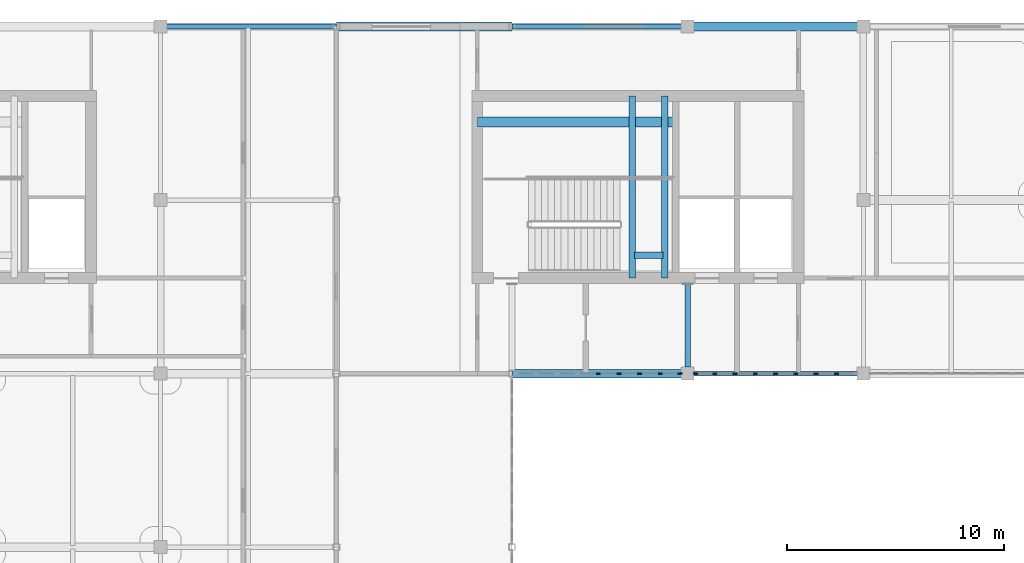
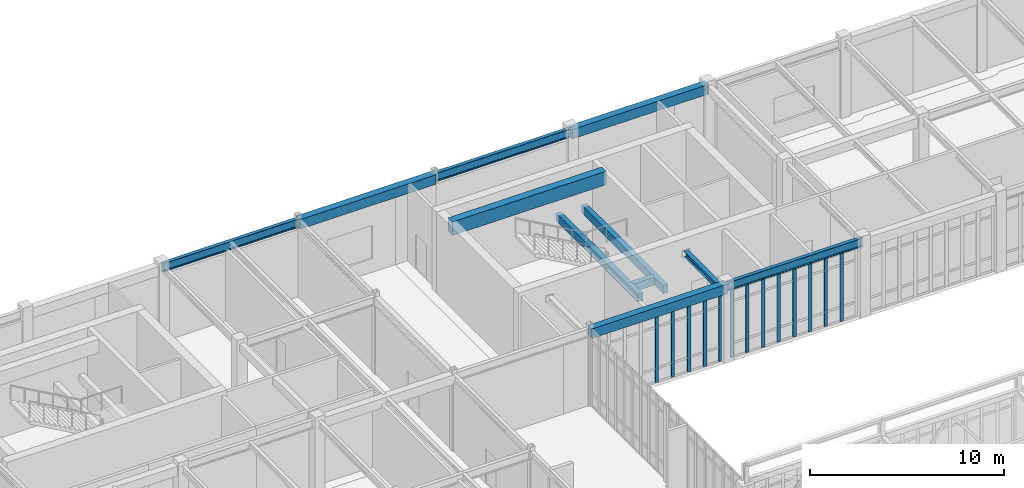
# One storey, part 30 of 107: 14 members, 10 beams, 2 elements without a shape of their own.
"""IFC4 building model written with IfcOpenShell, lengths in metres."""

from ifc_helpers import new_model, si_unit, direction, frame, origin, origin_2d, place, context, subcontext, project, spatial, rectangle, i_section, extrude, material, material_profile, profile_set, type_object, element, aggregate, save


model = new_model("IFC4")

# Units and contexts
model_context = context("Model", 3, precision=1e-05, world=origin(), true_north=direction((0.0, 1.0)))
body_context = subcontext(model_context, "Body", "Model", "MODEL_VIEW")
ifc_project = project(units=[si_unit("LENGTHUNIT", "METRE"), si_unit("AREAUNIT", "SQUARE_METRE"), si_unit("VOLUMEUNIT", "CUBIC_METRE"), si_unit("PLANEANGLEUNIT", "RADIAN"), si_unit("MASSUNIT", "GRAM", prefix="KILO")], contexts=[model_context])

# Site, building, storey
site_placement = place(None, origin())
site = spatial("IfcSite", under=ifc_project, at=site_placement, CompositionType="ELEMENT")
building_placement = place(site_placement, origin())
building = spatial("IfcBuilding", under=site, at=building_placement, Name="Tarnveldt Square Police Headquarters", CompositionType="ELEMENT")
storey_placement = place(building_placement, frame((0.0, 0.0, 14.699951171875)))
storey = spatial("IfcBuildingStorey", under=building, at=storey_placement, Name="L03", CompositionType="ELEMENT", Elevation=14.699951171875)

# Beams
ifc_material_1 = material(Name="Concrete 50 MPa", Category="concrete")
ifc_material_profile_1 = material_profile(ifc_material_1, rectangle(XDim=0.449951171875, YDim=0.85009765625, at=origin_2d()), Name="RC-CB450x850")
ifc_profile_set_1 = profile_set([ifc_material_profile_1], Name="Concrete 50 MPa")
beam_type_1 = type_object("IfcBeamType", Name="BM-CB450x850", PredefinedType="BEAM", material=ifc_profile_set_1)
beam_1_placement = place(storey_placement, frame((47.0, 107.60009765625, 4.675048828125), z_axis=(1.0, 0.0, 0.0), x_axis=(0.0, 1.0, 0.0)))
element("IfcBeam", 1, at=beam_1_placement, inside=storey, type_object=beam_type_1, Name="Core K3 North-Central Forensic and Firefighting Core L03 Ductile Coupling Beam", PredefinedType="BEAM", context=body_context, shape_type="SweptSolid", body=[
    extrude(rectangle(XDim=0.449951171875, YDim=0.85009765625, at=origin_2d()), origin(), (0.0, 0.0, 1.0), 9.14990234375),
])
ifc_material_2 = material(Name="Concrete 40 MPa", Category="concrete")
ifc_material_profile_2 = material_profile(ifc_material_2, rectangle(XDim=0.300048828125, YDim=0.5, at=origin_2d()), Name="RC-B300x500")
ifc_profile_set_2 = profile_set([ifc_material_profile_2], Name="Concrete 40 MPa")
beam_type_2 = type_object("IfcBeamType", Name="BM-RC300x500", PredefinedType="BEAM", material=ifc_profile_set_2)
beam_2_placement = place(storey_placement, frame((54.14990234375, 100.39990234375, 2.10009765625), z_axis=(0.0, 1.0, 0.0), x_axis=(-1.0, 0.0, 0.0)))
element("IfcBeam", 2, at=beam_2_placement, inside=storey, type_object=beam_type_2, Name="ST3 L03 Half-Landing Support Beam 1", PredefinedType="BEAM", context=body_context, shape_type="SweptSolid", body=[
    extrude(rectangle(XDim=0.300048828125, YDim=0.5, at=origin_2d()), origin(), (0.0, 0.0, 1.0), 8.400146484375),
])
beam_3_placement = place(storey_placement, frame((54.25, 101.449951171875, 2.10009765625), z_axis=(1.0, 0.0, 0.0), x_axis=(0.0, 1.0, 0.0)))
element("IfcBeam", 3, at=beam_3_placement, inside=storey, type_object=beam_type_2, Name="ST3 L03 Half-Landing Support Beam 2", PredefinedType="BEAM", context=body_context, shape_type="SweptSolid", body=[
    extrude(rectangle(XDim=0.300048828125, YDim=0.5, at=origin_2d()), origin(), (0.0, 0.0, 1.0), 1.300048828125),
])
beam_4_placement = place(storey_placement, frame((55.64990234375, 100.39990234375, 2.10009765625), z_axis=(0.0, 1.0, 0.0), x_axis=(-1.0, 0.0, 0.0)))
element("IfcBeam", 4, at=beam_4_placement, inside=storey, type_object=beam_type_2, Name="ST3 L03 Half-Landing Transverse Support Beam", PredefinedType="BEAM", context=body_context, shape_type="SweptSolid", body=[
    extrude(rectangle(XDim=0.300048828125, YDim=0.5, at=origin_2d()), origin(), (0.0, 0.0, 1.0), 8.400146484375),
])
ifc_material_profile_3 = material_profile(ifc_material_2, rectangle(XDim=0.39990234375, YDim=0.60009765625, at=origin_2d()), Name="RC-B400x600")
ifc_profile_set_3 = profile_set([ifc_material_profile_3], Name="Concrete 40 MPa")
beam_type_3 = type_object("IfcBeamType", Name="BM-RC400x600", PredefinedType="BEAM", material=ifc_profile_set_3)
beam_5_placement = place(storey_placement, frame((48.60009765625, 96.0, 4.5400390625), z_axis=(1.0, 0.0, 0.0), x_axis=(0.0, 1.0, 0.0)))
element("IfcBeam", 5, at=beam_5_placement, inside=storey, type_object=beam_type_3, Name="L04 Grid Girder X-0836", PredefinedType="BEAM", context=body_context, shape_type="SweptSolid", body=[
    extrude(rectangle(XDim=0.39990234375, YDim=0.60009765625, at=origin_2d()), origin(), (0.0, 0.0, 1.0), 8.099853515625),
])
for number, where, z_axis, x_axis, name in (
    (6, (40.5, 112.0, 4.5400390625), (1.0, 0.0, 0.0), (0.0, 1.0, 0.0), "L04 Grid Girder X-0854"),
    (7, (56.699951171875, 112.0, 4.5400390625), (1.0, 0.0, 0.0), (0.0, 1.0, 0.0), "L04 Grid Girder X-0856"),
):
    element("IfcBeam", number, at=place(storey_placement, frame(where, z_axis=z_axis, x_axis=x_axis)), inside=storey, type_object=beam_type_3, Name=name, PredefinedType="BEAM", context=body_context, shape_type="SweptSolid", body=[
        extrude(rectangle(XDim=0.39990234375, YDim=0.60009765625, at=origin_2d()), origin(), (0.0, 0.0, 1.0), 8.10009765625),
    ])
ifc_material_3 = material(Name="Steel 350W", Category="steel")
ifc_material_profile_4 = material_profile(ifc_material_3, i_section(OverallWidth=0.208984375, OverallDepth=0.532958984375, WebThickness=0.01025390625, FlangeThickness=0.015625, FilletRadius=0.01904296875, at=origin_2d()), Name="W530x92")
ifc_profile_set_4 = profile_set([ifc_material_profile_4], Name="Steel 350W")
beam_type_4 = type_object("IfcBeamType", Name="BM-W530x92", PredefinedType="BEAM", material=ifc_profile_set_4)
for number, where, z_axis, x_axis, name in (
    (8, (56.699951171875, 96.0, 4.573486328125), (1.0, 0.0, 0.0), (0.0, 1.0, 0.0), "L04 Grid Girder X-0837"),
    (9, (32.39990234375, 112.0, 4.573486328125), (1.0, 0.0, 0.0), (0.0, 1.0, 0.0), "L04 Grid Girder X-0853"),
):
    element("IfcBeam", number, at=place(storey_placement, frame(where, z_axis=z_axis, x_axis=x_axis)), inside=storey, type_object=beam_type_4, Name=name, PredefinedType="BEAM", context=body_context, shape_type="SweptSolid", body=[
        extrude(i_section(OverallWidth=0.208984375, OverallDepth=0.532958984375, WebThickness=0.01025390625, FlangeThickness=0.015625, FilletRadius=0.01904296875, at=origin_2d()), origin(), (0.0, 0.0, 1.0), 8.10009765625),
    ])
beam_6_placement = place(storey_placement, frame((48.60009765625, 112.0, 4.573486328125), z_axis=(1.0, 0.0, 0.0), x_axis=(0.0, 1.0, 0.0)))
element("IfcBeam", 10, at=beam_6_placement, inside=storey, type_object=beam_type_4, Name="L04 Grid Girder X-0855", PredefinedType="BEAM", context=body_context, shape_type="SweptSolid", body=[
    extrude(i_section(OverallWidth=0.208984375, OverallDepth=0.532958984375, WebThickness=0.01025390625, FlangeThickness=0.015625, FilletRadius=0.01904296875, at=origin_2d()), origin(), (0.0, 0.0, 1.0), 8.099853515625),
])

# Curtain wall, members
ifc_material_4 = material(Name="Triple-glazed low-e laminated vision glass", Category="glass")
curtain_wall_type_1 = type_object("IfcCurtainWallType", Name="CW-LB-762x423", PredefinedType="USERDEFINED", material=ifc_material_4)
curtain_wall_1_placement = place(storey_placement, origin())
curtain_wall_1 = element("IfcCurtainWall", 11, at=curtain_wall_1_placement, inside=storey, type_object=curtain_wall_type_1, Name="L03 Curtain Wall CW-L03-119", ObjectType="GLAZED CURTAIN WALL", PredefinedType="USERDEFINED")
ifc_material_5 = material(Name="Thermally broken anodised aluminium 6063-T6", Category="aluminium")
ifc_material_profile_5 = material_profile(ifc_material_5, rectangle(XDim=0.074951171875, YDim=0.199951171875, at=origin_2d()), Name="CW-M75x200")
ifc_profile_set_5 = profile_set([ifc_material_profile_5], Name="Thermally broken anodised aluminium 6063-T6")
member_type_1 = type_object("IfcMemberType", Name="CWM-75x200", PredefinedType="MULLION", material=ifc_profile_set_5)
member_1_placement = place(storey_placement, frame((52.576171875, 96.0, 0.0), z_axis=(0.0, 0.0, 1.0), x_axis=(0.0, 1.0, 0.0)))
member_1 = element("IfcMember", 12, at=member_1_placement, type_object=member_type_1, Name="CW-LB70 mullion 5", PredefinedType="MULLION", context=body_context, shape_type="SweptSolid", body=[
    extrude(rectangle(XDim=0.074951171875, YDim=0.199951171875, at=origin_2d()), origin(), (0.0, 0.0, 1.0), 4.23193359375),
])
member_2_placement = place(storey_placement, frame((53.5283203125, 96.0, 0.0), z_axis=(0.0, 0.0, 1.0), x_axis=(0.0, 1.0, 0.0)))
member_2 = element("IfcMember", 13, at=member_2_placement, type_object=member_type_1, Name="CW-LB70 mullion 6", PredefinedType="MULLION", context=body_context, shape_type="SweptSolid", body=[
    extrude(rectangle(XDim=0.074951171875, YDim=0.199951171875, at=origin_2d()), origin(), (0.0, 0.0, 1.0), 4.23193359375),
])
member_3_placement = place(storey_placement, frame((54.480712890625, 96.0, 0.0), z_axis=(0.0, 0.0, 1.0), x_axis=(0.0, 1.0, 0.0)))
member_3 = element("IfcMember", 14, at=member_3_placement, type_object=member_type_1, Name="CW-LB70 mullion 7", PredefinedType="MULLION", context=body_context, shape_type="SweptSolid", body=[
    extrude(rectangle(XDim=0.074951171875, YDim=0.199951171875, at=origin_2d()), origin(), (0.0, 0.0, 1.0), 4.23193359375),
])
member_4_placement = place(storey_placement, frame((55.432861328125, 96.0, 0.0), z_axis=(0.0, 0.0, 1.0), x_axis=(0.0, 1.0, 0.0)))
member_4 = element("IfcMember", 15, at=member_4_placement, type_object=member_type_1, Name="CW-LB70 mullion 8", PredefinedType="MULLION", context=body_context, shape_type="SweptSolid", body=[
    extrude(rectangle(XDim=0.074951171875, YDim=0.199951171875, at=origin_2d()), origin(), (0.0, 0.0, 1.0), 4.23193359375),
])
member_5_placement = place(storey_placement, frame((56.347412109375, 96.0, 0.0), z_axis=(0.0, 0.0, 1.0), x_axis=(0.0, 1.0, 0.0)))
member_5 = element("IfcMember", 16, at=member_5_placement, type_object=member_type_1, Name="CW-LB70 mullion 9", PredefinedType="MULLION", context=body_context, shape_type="SweptSolid", body=[
    extrude(rectangle(XDim=0.074951171875, YDim=0.199951171875, at=origin_2d()), origin(), (0.0, 0.0, 1.0), 4.23193359375),
])
aggregate(curtain_wall_1, [member_1, member_2, member_3, member_4, member_5])

curtain_wall_type_2 = type_object("IfcCurtainWallType", Name="CW-LB-747x430", PredefinedType="USERDEFINED", material=ifc_material_4)
curtain_wall_2_placement = place(storey_placement, origin())
curtain_wall_2 = element("IfcCurtainWall", 17, at=curtain_wall_2_placement, inside=storey, type_object=curtain_wall_type_2, Name="L03 Curtain Wall CW-L03-120", ObjectType="GLAZED CURTAIN WALL", PredefinedType="USERDEFINED")
member_6_placement = place(storey_placement, frame((57.052490234375, 96.0, 0.0), z_axis=(0.0, 0.0, 1.0), x_axis=(0.0, 1.0, 0.0)))
member_6 = element("IfcMember", 18, at=member_6_placement, type_object=member_type_1, Name="CW-LB71 mullion 1", PredefinedType="MULLION", context=body_context, shape_type="SweptSolid", body=[
    extrude(rectangle(XDim=0.074951171875, YDim=0.199951171875, at=origin_2d()), origin(), (0.0, 0.0, 1.0), 4.299072265625),
])
member_7_placement = place(storey_placement, frame((57.94873046875, 96.0, 0.0), z_axis=(0.0, 0.0, 1.0), x_axis=(0.0, 1.0, 0.0)))
member_7 = element("IfcMember", 19, at=member_7_placement, type_object=member_type_1, Name="CW-LB71 mullion 2", PredefinedType="MULLION", context=body_context, shape_type="SweptSolid", body=[
    extrude(rectangle(XDim=0.074951171875, YDim=0.199951171875, at=origin_2d()), origin(), (0.0, 0.0, 1.0), 4.299072265625),
])
member_8_placement = place(storey_placement, frame((58.882568359375, 96.0, 0.0), z_axis=(0.0, 0.0, 1.0), x_axis=(0.0, 1.0, 0.0)))
member_8 = element("IfcMember", 20, at=member_8_placement, type_object=member_type_1, Name="CW-LB71 mullion 3", PredefinedType="MULLION", context=body_context, shape_type="SweptSolid", body=[
    extrude(rectangle(XDim=0.074951171875, YDim=0.199951171875, at=origin_2d()), origin(), (0.0, 0.0, 1.0), 4.299072265625),
])
member_9_placement = place(storey_placement, frame((59.816162109375, 96.0, 0.0), z_axis=(0.0, 0.0, 1.0), x_axis=(0.0, 1.0, 0.0)))
member_9 = element("IfcMember", 21, at=member_9_placement, type_object=member_type_1, Name="CW-LB71 mullion 4", PredefinedType="MULLION", context=body_context, shape_type="SweptSolid", body=[
    extrude(rectangle(XDim=0.074951171875, YDim=0.199951171875, at=origin_2d()), origin(), (0.0, 0.0, 1.0), 4.299072265625),
])
member_10_placement = place(storey_placement, frame((60.75, 96.0, 0.0), z_axis=(0.0, 0.0, 1.0), x_axis=(0.0, 1.0, 0.0)))
member_10 = element("IfcMember", 22, at=member_10_placement, type_object=member_type_1, Name="CW-LB71 mullion 5", PredefinedType="MULLION", context=body_context, shape_type="SweptSolid", body=[
    extrude(rectangle(XDim=0.074951171875, YDim=0.199951171875, at=origin_2d()), origin(), (0.0, 0.0, 1.0), 4.299072265625),
])
member_11_placement = place(storey_placement, frame((61.683837890625, 96.0, 0.0), z_axis=(0.0, 0.0, 1.0), x_axis=(0.0, 1.0, 0.0)))
member_11 = element("IfcMember", 23, at=member_11_placement, type_object=member_type_1, Name="CW-LB71 mullion 6", PredefinedType="MULLION", context=body_context, shape_type="SweptSolid", body=[
    extrude(rectangle(XDim=0.074951171875, YDim=0.199951171875, at=origin_2d()), origin(), (0.0, 0.0, 1.0), 4.299072265625),
])
member_12_placement = place(storey_placement, frame((62.617431640625, 96.0, 0.0), z_axis=(0.0, 0.0, 1.0), x_axis=(0.0, 1.0, 0.0)))
member_12 = element("IfcMember", 24, at=member_12_placement, type_object=member_type_1, Name="CW-LB71 mullion 7", PredefinedType="MULLION", context=body_context, shape_type="SweptSolid", body=[
    extrude(rectangle(XDim=0.074951171875, YDim=0.199951171875, at=origin_2d()), origin(), (0.0, 0.0, 1.0), 4.299072265625),
])
member_13_placement = place(storey_placement, frame((63.55126953125, 96.0, 0.0), z_axis=(0.0, 0.0, 1.0), x_axis=(0.0, 1.0, 0.0)))
member_13 = element("IfcMember", 25, at=member_13_placement, type_object=member_type_1, Name="CW-LB71 mullion 8", PredefinedType="MULLION", context=body_context, shape_type="SweptSolid", body=[
    extrude(rectangle(XDim=0.074951171875, YDim=0.199951171875, at=origin_2d()), origin(), (0.0, 0.0, 1.0), 4.299072265625),
])
aggregate(curtain_wall_2, [member_6, member_7, member_8, member_9, member_10, member_11, member_12, member_13])

# Member
ifc_material_profile_6 = material_profile(ifc_material_3, i_section(OverallWidth=0.257080078125, OverallDepth=0.363037109375, WebThickness=0.012939453125, FlangeThickness=0.021728515625, FilletRadius=0.01611328125, at=origin_2d()), Name="W360x122")
ifc_profile_set_6 = profile_set([ifc_material_profile_6], Name="Steel 350W")
member_type_2 = type_object("IfcMemberType", Name="MEM-CT-POST", PredefinedType="STRUT", material=ifc_profile_set_6)
member_14_placement = place(storey_placement, frame((56.699951171875, 96.300048828125, 4.150146484375), z_axis=(0.0, 1.0, 0.0), x_axis=(-1.0, 0.0, 0.0)))
element("IfcMember", 26, at=member_14_placement, inside=storey, type_object=member_type_2, Name="Cantilever Collector Strut CTP1 to Core K3 L03.3", PredefinedType="STRUT", context=body_context, shape_type="SweptSolid", body=[
    extrude(i_section(OverallWidth=0.257080078125, OverallDepth=0.363037109375, WebThickness=0.012939453125, FlangeThickness=0.021728515625, FilletRadius=0.01611328125, at=origin_2d()), origin(), (0.0, 0.0, 1.0), 3.81201171875),
])

save(model, "model.ifc")
